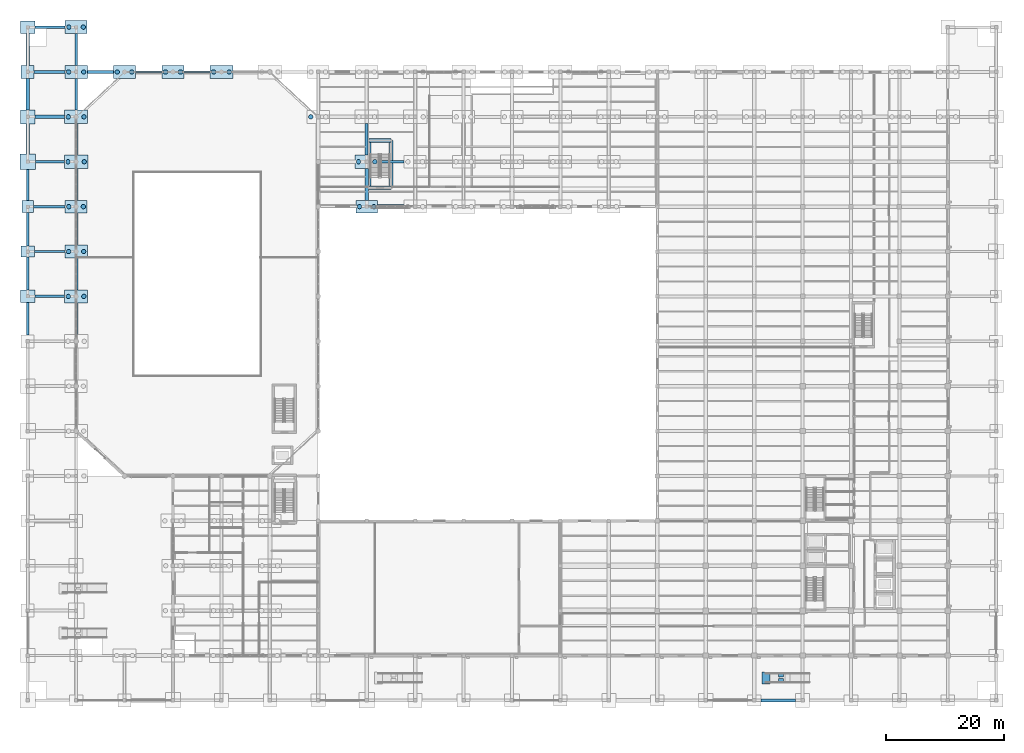
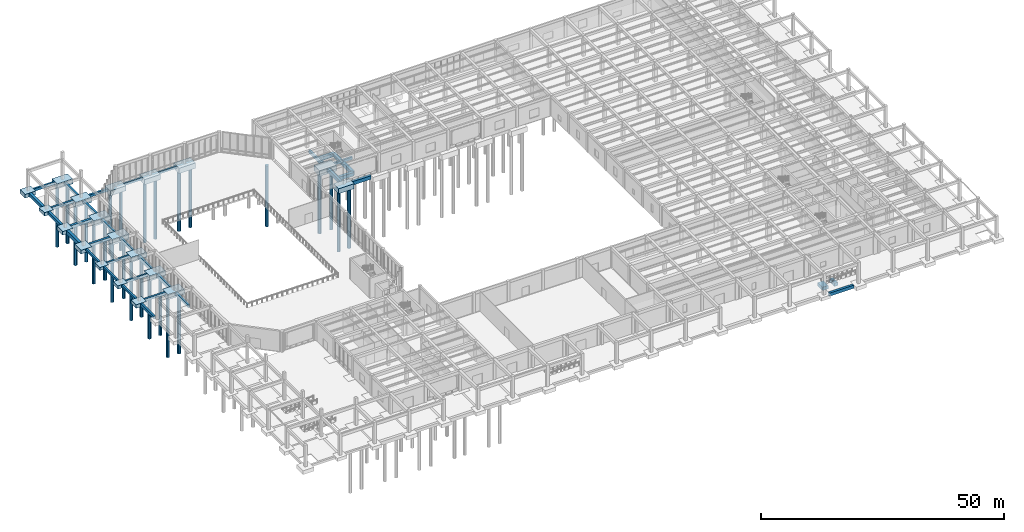
# One storey, part 3 of 64: 55 footings, 25 piles.
"""IFC4 building model written with IfcOpenShell, lengths in metres."""

from ifc_helpers import new_model, si_unit, direction, frame, origin, origin_2d, place, context, subcontext, project, spatial, rectangle, circle, extrude, material, material_profile, profile_set, type_object, element, save


model = new_model("IFC4")

# Units and contexts
model_context = context("Model", 3, precision=1e-05, world=origin(), true_north=direction((0.0, 1.0)))
body_context = subcontext(model_context, "Body", "Model", "MODEL_VIEW")
ifc_project = project(units=[si_unit("LENGTHUNIT", "METRE"), si_unit("AREAUNIT", "SQUARE_METRE"), si_unit("VOLUMEUNIT", "CUBIC_METRE"), si_unit("PLANEANGLEUNIT", "RADIAN"), si_unit("MASSUNIT", "GRAM", prefix="KILO")], contexts=[model_context])

# Site, building, storey
site_placement = place(None, origin())
site = spatial("IfcSite", under=ifc_project, at=site_placement, CompositionType="ELEMENT")
building_placement = place(site_placement, origin())
building = spatial("IfcBuilding", under=site, at=building_placement, Name="Qandaris Square Conservatory and Botanical Centre", CompositionType="ELEMENT")
storey_placement = place(building_placement, origin())
storey = spatial("IfcBuildingStorey", under=building, at=storey_placement, Name="L00", CompositionType="ELEMENT", Elevation=0.0)

# Piles
ifc_material_1 = material(Name="Concrete C50/60", Category="concrete")
ifc_material_profile_1 = material_profile(ifc_material_1, circle(Radius=0.375, at=origin_2d()), Name="PILE D750")
ifc_profile_set_1 = profile_set([ifc_material_profile_1], Name="Concrete C50/60")
pile_type = type_object("IfcPileType", Name="Bored Pile D750", PredefinedType="BORED", material=ifc_profile_set_1)
for number, where, z_axis, x_axis, name in (
    (1, (14.875, 77.39990234375, -1.25), (0.0, 0.0, -1.0), (1.0, 0.0, 0.0), "Bored Pile K2-1"),
    (2, (17.52490234375, 77.39990234375, -1.25), (0.0, 0.0, -1.0), (1.0, 0.0, 0.0), "Bored Pile K2-2"),
):
    element("IfcPile", number, at=place(storey_placement, frame(where, z_axis=z_axis, x_axis=x_axis)), inside=storey, type_object=pile_type, Name=name, PredefinedType="BORED", context=body_context, shape_type="SweptSolid", body=[
        extrude(circle(Radius=0.375, at=origin_2d()), origin(), (0.0, 0.0, 1.0), 15.25),
    ])
for number, where, z_axis, x_axis, name in (
    (3, (14.925048828125, 85.0, -1.199951171875), (0.0, 0.0, -1.0), (1.0, 0.0, 0.0), "Bored Pile L2-1"),
    (4, (17.47509765625, 85.0, -1.199951171875), (0.0, 0.0, -1.0), (1.0, 0.0, 0.0), "Bored Pile L2-2"),
):
    element("IfcPile", number, at=place(storey_placement, frame(where, z_axis=z_axis, x_axis=x_axis)), inside=storey, type_object=pile_type, Name=name, PredefinedType="BORED", context=body_context, shape_type="SweptSolid", body=[
        extrude(circle(Radius=0.375, at=origin_2d()), origin(), (0.0, 0.0, 1.0), 15.300048828125),
    ])
for number, where, z_axis, x_axis, name in (
    (5, (14.97509765625, 92.60009765625, -1.14990234375), (0.0, 0.0, -1.0), (1.0, 0.0, 0.0), "Bored Pile M2-1"),
    (6, (17.425048828125, 92.60009765625, -1.14990234375), (0.0, 0.0, -1.0), (1.0, 0.0, 0.0), "Bored Pile M2-2"),
):
    element("IfcPile", number, at=place(storey_placement, frame(where, z_axis=z_axis, x_axis=x_axis)), inside=storey, type_object=pile_type, Name=name, PredefinedType="BORED", context=body_context, shape_type="SweptSolid", body=[
        extrude(circle(Radius=0.375, at=origin_2d()), origin(), (0.0, 0.0, 1.0), 15.35009765625),
    ])
for number, where, z_axis, x_axis, name in (
    (7, (14.824951171875, 100.199951171875, -1.300048828125), (0.0, 0.0, -1.0), (1.0, 0.0, 0.0), "Bored Pile N2-1"),
    (8, (17.574951171875, 100.199951171875, -1.300048828125), (0.0, 0.0, -1.0), (1.0, 0.0, 0.0), "Bored Pile N2-2"),
):
    element("IfcPile", number, at=place(storey_placement, frame(where, z_axis=z_axis, x_axis=x_axis)), inside=storey, type_object=pile_type, Name=name, PredefinedType="BORED", context=body_context, shape_type="SweptSolid", body=[
        extrude(circle(Radius=0.375, at=origin_2d()), origin(), (0.0, 0.0, 1.0), 15.199951171875),
    ])
for number, where, z_axis, x_axis, name in (
    (9, (14.875, 107.800048828125, -1.25), (0.0, 0.0, -1.0), (1.0, 0.0, 0.0), "Bored Pile P2-1"),
    (10, (17.52490234375, 107.800048828125, -1.25), (0.0, 0.0, -1.0), (1.0, 0.0, 0.0), "Bored Pile P2-2"),
):
    element("IfcPile", number, at=place(storey_placement, frame(where, z_axis=z_axis, x_axis=x_axis)), inside=storey, type_object=pile_type, Name=name, PredefinedType="BORED", context=body_context, shape_type="SweptSolid", body=[
        extrude(circle(Radius=0.375, at=origin_2d()), origin(), (0.0, 0.0, 1.0), 15.25),
    ])
for number, where, z_axis, x_axis, name in (
    (11, (14.925048828125, 115.39990234375, -1.199951171875), (0.0, 0.0, -1.0), (1.0, 0.0, 0.0), "Bored Pile Q2-1"),
    (12, (17.47509765625, 115.39990234375, -1.199951171875), (0.0, 0.0, -1.0), (1.0, 0.0, 0.0), "Bored Pile Q2-2"),
):
    element("IfcPile", number, at=place(storey_placement, frame(where, z_axis=z_axis, x_axis=x_axis)), inside=storey, type_object=pile_type, Name=name, PredefinedType="BORED", context=body_context, shape_type="SweptSolid", body=[
        extrude(circle(Radius=0.375, at=origin_2d()), origin(), (0.0, 0.0, 1.0), 15.300048828125),
    ])
for number, where, z_axis, x_axis, name in (
    (13, (14.97509765625, 123.0, -1.14990234375), (0.0, 0.0, -1.0), (1.0, 0.0, 0.0), "Bored Pile R2-1"),
    (14, (17.425048828125, 123.0, -1.14990234375), (0.0, 0.0, -1.0), (1.0, 0.0, 0.0), "Bored Pile R2-2"),
    (15, (23.175048828125, 115.39990234375, -1.14990234375), (0.0, 0.0, -1.0), (1.0, 0.0, 0.0), "Bored Pile Q3-1"),
    (16, (25.625, 115.39990234375, -1.14990234375), (0.0, 0.0, -1.0), (1.0, 0.0, 0.0), "Bored Pile Q3-2"),
):
    element("IfcPile", number, at=place(storey_placement, frame(where, z_axis=z_axis, x_axis=x_axis)), inside=storey, type_object=pile_type, Name=name, PredefinedType="BORED", context=body_context, shape_type="SweptSolid", body=[
        extrude(circle(Radius=0.375, at=origin_2d()), origin(), (0.0, 0.0, 1.0), 15.35009765625),
    ])
for number, where, z_axis, x_axis, name in (
    (17, (31.324951171875, 115.39990234375, -1.199951171875), (0.0, 0.0, -1.0), (1.0, 0.0, 0.0), "Bored Pile Q4-1"),
    (18, (33.875, 115.39990234375, -1.199951171875), (0.0, 0.0, -1.0), (1.0, 0.0, 0.0), "Bored Pile Q4-2"),
):
    element("IfcPile", number, at=place(storey_placement, frame(where, z_axis=z_axis, x_axis=x_axis)), inside=storey, type_object=pile_type, Name=name, PredefinedType="BORED", context=body_context, shape_type="SweptSolid", body=[
        extrude(circle(Radius=0.375, at=origin_2d()), origin(), (0.0, 0.0, 1.0), 15.300048828125),
    ])
for number, where, z_axis, x_axis, name in (
    (19, (39.47509765625, 115.39990234375, -1.25), (0.0, 0.0, -1.0), (1.0, 0.0, 0.0), "Bored Pile Q5-1"),
    (20, (42.125, 115.39990234375, -1.25), (0.0, 0.0, -1.0), (1.0, 0.0, 0.0), "Bored Pile Q5-2"),
):
    element("IfcPile", number, at=place(storey_placement, frame(where, z_axis=z_axis, x_axis=x_axis)), inside=storey, type_object=pile_type, Name=name, PredefinedType="BORED", context=body_context, shape_type="SweptSolid", body=[
        extrude(circle(Radius=0.375, at=origin_2d()), origin(), (0.0, 0.0, 1.0), 15.25),
    ])
pile_placement = place(storey_placement, frame((55.925048828125, 107.800048828125, -1.199951171875), z_axis=(0.0, 0.0, -1.0), x_axis=(1.0, 0.0, 0.0)))
element("IfcPile", 21, at=pile_placement, inside=storey, type_object=pile_type, Name="Bored Pile P7-1", PredefinedType="BORED", context=body_context, shape_type="SweptSolid", body=[
    extrude(circle(Radius=0.375, at=origin_2d()), origin(), (0.0, 0.0, 1.0), 15.300048828125),
])
for number, where, z_axis, x_axis, name in (
    (22, (64.175048828125, 92.60009765625, -1.14990234375), (0.0, 0.0, -1.0), (1.0, 0.0, 0.0), "Bored Pile M8-1"),
    (23, (66.625, 92.60009765625, -1.14990234375), (0.0, 0.0, -1.0), (1.0, 0.0, 0.0), "Bored Pile M8-2"),
):
    element("IfcPile", number, at=place(storey_placement, frame(where, z_axis=z_axis, x_axis=x_axis)), inside=storey, type_object=pile_type, Name=name, PredefinedType="BORED", context=body_context, shape_type="SweptSolid", body=[
        extrude(circle(Radius=0.375, at=origin_2d()), origin(), (0.0, 0.0, 1.0), 15.35009765625),
    ])
for number, where, z_axis, x_axis, name in (
    (24, (64.02490234375, 100.199951171875, -1.300048828125), (0.0, 0.0, -1.0), (1.0, 0.0, 0.0), "Bored Pile N8-1"),
    (25, (66.77490234375, 100.199951171875, -1.300048828125), (0.0, 0.0, -1.0), (1.0, 0.0, 0.0), "Bored Pile N8-2"),
):
    element("IfcPile", number, at=place(storey_placement, frame(where, z_axis=z_axis, x_axis=x_axis)), inside=storey, type_object=pile_type, Name=name, PredefinedType="BORED", context=body_context, shape_type="SweptSolid", body=[
        extrude(circle(Radius=0.375, at=origin_2d()), origin(), (0.0, 0.0, 1.0), 15.199951171875),
    ])

# Footings
ifc_material_2 = material(Name="Concrete C40/50", Category="concrete")
ifc_material_profile_2 = material_profile(ifc_material_2, rectangle(XDim=0.60009765625, YDim=0.85009765625, at=origin_2d()), Name="FB 600x850")
ifc_profile_set_2 = profile_set([ifc_material_profile_2], Name="Concrete C40/50")
footing_type_1 = type_object("IfcFootingType", Name="RC Ground Tie Beam FB-01", PredefinedType="FOOTING_BEAM", material=ifc_profile_set_2)
footing_1_placement = place(storey_placement, frame((8.0, 116.5, -0.425048828125), z_axis=(0.0, 1.0, 0.0), x_axis=(-1.0, 0.0, 0.0)))
element("IfcFooting", 26, at=footing_1_placement, inside=storey, type_object=footing_type_1, Name="Ground Tie Beam FB-01-291", PredefinedType="FOOTING_BEAM", context=body_context, shape_type="SweptSolid", body=[
    extrude(rectangle(XDim=0.60009765625, YDim=0.85009765625, at=origin_2d()), origin(), (0.0, 0.0, 1.0), 5.449951171875),
])
footing_2_placement = place(storey_placement, frame((16.199951171875, 78.52490234375, -0.425048828125), z_axis=(0.0, 1.0, 0.0), x_axis=(-1.0, 0.0, 0.0)))
element("IfcFooting", 27, at=footing_2_placement, inside=storey, type_object=footing_type_1, Name="Ground Tie Beam FB-01-301", PredefinedType="FOOTING_BEAM", context=body_context, shape_type="SweptSolid", body=[
    extrude(rectangle(XDim=0.60009765625, YDim=0.85009765625, at=origin_2d()), origin(), (0.0, 0.0, 1.0), 5.375),
])
ifc_material_profile_3 = material_profile(ifc_material_2, rectangle(XDim=0.550048828125, YDim=0.800048828125, at=origin_2d()), Name="FB 550x800")
ifc_profile_set_3 = profile_set([ifc_material_profile_3], Name="Concrete C40/50")
footing_type_2 = type_object("IfcFootingType", Name="RC Ground Tie Beam FB-02", PredefinedType="FOOTING_BEAM", material=ifc_profile_set_3)
footing_3_placement = place(storey_placement, frame((132.14990234375, 9.0, -0.39990234375), z_axis=(1.0, 0.0, 0.0), x_axis=(0.0, 1.0, 0.0)))
element("IfcFooting", 28, at=footing_3_placement, inside=storey, type_object=footing_type_2, Name="Ground Tie Beam FB-02-202", PredefinedType="FOOTING_BEAM", context=body_context, shape_type="SweptSolid", body=[
    extrude(rectangle(XDim=0.550048828125, YDim=0.800048828125, at=origin_2d()), origin(), (0.0, 0.0, 1.0), 5.85009765625),
])
footing_4_placement = place(storey_placement, frame((16.199951171875, 86.10009765625, -0.39990234375), z_axis=(0.0, 1.0, 0.0), x_axis=(-1.0, 0.0, 0.0)))
element("IfcFooting", 29, at=footing_4_placement, inside=storey, type_object=footing_type_2, Name="Ground Tie Beam FB-02-302", PredefinedType="FOOTING_BEAM", context=body_context, shape_type="SweptSolid", body=[
    extrude(rectangle(XDim=0.550048828125, YDim=0.800048828125, at=origin_2d()), origin(), (0.0, 0.0, 1.0), 5.4248046875),
])
footing_5_placement = place(storey_placement, frame((65.39990234375, 93.675048828125, -0.39990234375), z_axis=(0.0, 1.0, 0.0), x_axis=(-1.0, 0.0, 0.0)))
element("IfcFooting", 30, at=footing_5_placement, inside=storey, type_object=footing_type_2, Name="Ground Tie Beam FB-02-322", PredefinedType="FOOTING_BEAM", context=body_context, shape_type="SweptSolid", body=[
    extrude(rectangle(XDim=0.550048828125, YDim=0.800048828125, at=origin_2d()), origin(), (0.0, 0.0, 1.0), 5.375),
])
ifc_material_profile_4 = material_profile(ifc_material_2, rectangle(XDim=0.5, YDim=0.75, at=origin_2d()), Name="FB 500x750")
ifc_profile_set_4 = profile_set([ifc_material_profile_4], Name="Concrete C40/50")
footing_type_3 = type_object("IfcFootingType", Name="RC Ground Tie Beam FB-03", PredefinedType="FOOTING_BEAM", material=ifc_profile_set_4)
footing_6_placement = place(storey_placement, frame((16.199951171875, 93.675048828125, -0.375), z_axis=(0.0, 1.0, 0.0), x_axis=(-1.0, 0.0, 0.0)))
element("IfcFooting", 31, at=footing_6_placement, inside=storey, type_object=footing_type_3, Name="Ground Tie Beam FB-03-303", PredefinedType="FOOTING_BEAM", context=body_context, shape_type="SweptSolid", body=[
    extrude(rectangle(XDim=0.5, YDim=0.75, at=origin_2d()), origin(), (0.0, 0.0, 1.0), 5.375),
])
footing_7_placement = place(storey_placement, frame((65.39990234375, 101.35009765625, -0.375), z_axis=(0.0, 1.0, 0.0), x_axis=(-1.0, 0.0, 0.0)))
element("IfcFooting", 32, at=footing_7_placement, inside=storey, type_object=footing_type_3, Name="Ground Tie Beam FB-03-323", PredefinedType="FOOTING_BEAM", context=body_context, shape_type="SweptSolid", body=[
    extrude(rectangle(XDim=0.5, YDim=0.75, at=origin_2d()), origin(), (0.0, 0.0, 1.0), 5.324951171875),
])
ifc_material_profile_5 = material_profile(ifc_material_2, rectangle(XDim=0.5, YDim=0.699951171875, at=origin_2d()), Name="FB 500x700")
ifc_profile_set_5 = profile_set([ifc_material_profile_5], Name="Concrete C40/50")
footing_type_4 = type_object("IfcFootingType", Name="RC Ground Tie Beam FB-04", PredefinedType="FOOTING_BEAM", material=ifc_profile_set_5)
footing_8_placement = place(storey_placement, frame((9.300048828125, 100.199951171875, -0.35009765625), z_axis=(1.0, 0.0, 0.0), x_axis=(0.0, 1.0, 0.0)))
element("IfcFooting", 33, at=footing_8_placement, inside=storey, type_object=footing_type_4, Name="Ground Tie Beam FB-04-234", PredefinedType="FOOTING_BEAM", context=body_context, shape_type="SweptSolid", body=[
    extrude(rectangle(XDim=0.5, YDim=0.699951171875, at=origin_2d()), origin(), (0.0, 0.0, 1.0), 4.89990234375),
])
footing_9_placement = place(storey_placement, frame((16.199951171875, 101.35009765625, -0.35009765625), z_axis=(0.0, 1.0, 0.0), x_axis=(-1.0, 0.0, 0.0)))
element("IfcFooting", 34, at=footing_9_placement, inside=storey, type_object=footing_type_4, Name="Ground Tie Beam FB-04-304", PredefinedType="FOOTING_BEAM", context=body_context, shape_type="SweptSolid", body=[
    extrude(rectangle(XDim=0.5, YDim=0.699951171875, at=origin_2d()), origin(), (0.0, 0.0, 1.0), 5.324951171875),
])
ifc_material_profile_6 = material_profile(ifc_material_2, rectangle(XDim=0.449951171875, YDim=0.64990234375, at=origin_2d()), Name="FB 450x650")
ifc_profile_set_6 = profile_set([ifc_material_profile_6], Name="Concrete C40/50")
footing_type_5 = type_object("IfcFootingType", Name="RC Ground Tie Beam FB-05", PredefinedType="FOOTING_BEAM", material=ifc_profile_set_6)
footing_10_placement = place(storey_placement, frame((67.39990234375, 100.199951171875, -0.324951171875), z_axis=(1.0, 0.0, 0.0), x_axis=(0.0, 1.0, 0.0)))
element("IfcFooting", 35, at=footing_10_placement, inside=storey, type_object=footing_type_5, Name="Ground Tie Beam FB-05-235", PredefinedType="FOOTING_BEAM", context=body_context, shape_type="SweptSolid", body=[
    extrude(rectangle(XDim=0.449951171875, YDim=0.64990234375, at=origin_2d()), origin(), (0.0, 0.0, 1.0), 4.35009765625),
])
footing_11_placement = place(storey_placement, frame((9.10009765625, 115.39990234375, -0.324951171875), z_axis=(1.0, 0.0, 0.0), x_axis=(0.0, 1.0, 0.0)))
element("IfcFooting", 36, at=footing_11_placement, inside=storey, type_object=footing_type_5, Name="Ground Tie Beam FB-05-255", PredefinedType="FOOTING_BEAM", context=body_context, shape_type="SweptSolid", body=[
    extrude(rectangle(XDim=0.449951171875, YDim=0.64990234375, at=origin_2d()), origin(), (0.0, 0.0, 1.0), 5.199951171875),
])
footing_12_placement = place(storey_placement, frame((9.25, 123.0, -0.324951171875), z_axis=(1.0, 0.0, 0.0), x_axis=(0.0, 1.0, 0.0)))
element("IfcFooting", 37, at=footing_12_placement, inside=storey, type_object=footing_type_5, Name="Ground Tie Beam FB-05-275", PredefinedType="FOOTING_BEAM", context=body_context, shape_type="SweptSolid", body=[
    extrude(rectangle(XDim=0.449951171875, YDim=0.64990234375, at=origin_2d()), origin(), (0.0, 0.0, 1.0), 5.10009765625),
])
footing_13_placement = place(storey_placement, frame((8.0, 70.89990234375, -0.324951171875), z_axis=(0.0, 1.0, 0.0), x_axis=(-1.0, 0.0, 0.0)))
element("IfcFooting", 38, at=footing_13_placement, inside=storey, type_object=footing_type_5, Name="Ground Tie Beam FB-05-285", PredefinedType="FOOTING_BEAM", context=body_context, shape_type="SweptSolid", body=[
    extrude(rectangle(XDim=0.449951171875, YDim=0.64990234375, at=origin_2d()), origin(), (0.0, 0.0, 1.0), 5.4501953125),
])
footing_14_placement = place(storey_placement, frame((16.199951171875, 108.925048828125, -0.324951171875), z_axis=(0.0, 1.0, 0.0), x_axis=(-1.0, 0.0, 0.0)))
element("IfcFooting", 39, at=footing_14_placement, inside=storey, type_object=footing_type_5, Name="Ground Tie Beam FB-05-305", PredefinedType="FOOTING_BEAM", context=body_context, shape_type="SweptSolid", body=[
    extrude(rectangle(XDim=0.449951171875, YDim=0.64990234375, at=origin_2d()), origin(), (0.0, 0.0, 1.0), 5.375),
])
ifc_material_profile_7 = material_profile(ifc_material_2, rectangle(XDim=0.449951171875, YDim=0.60009765625, at=origin_2d()), Name="FB 450x600")
ifc_profile_set_7 = profile_set([ifc_material_profile_7], Name="Concrete C40/50")
footing_type_6 = type_object("IfcFootingType", Name="RC Ground Tie Beam FB-06", PredefinedType="FOOTING_BEAM", material=ifc_profile_set_7)
footing_15_placement = place(storey_placement, frame((9.25, 77.39990234375, -0.300048828125), z_axis=(1.0, 0.0, 0.0), x_axis=(0.0, 1.0, 0.0)))
element("IfcFooting", 40, at=footing_15_placement, inside=storey, type_object=footing_type_6, Name="Ground Tie Beam FB-06-226", PredefinedType="FOOTING_BEAM", context=body_context, shape_type="SweptSolid", body=[
    extrude(rectangle(XDim=0.449951171875, YDim=0.60009765625, at=origin_2d()), origin(), (0.0, 0.0, 1.0), 5.0),
])
footing_16_placement = place(storey_placement, frame((18.10009765625, 115.39990234375, -0.300048828125), z_axis=(1.0, 0.0, 0.0), x_axis=(0.0, 1.0, 0.0)))
element("IfcFooting", 41, at=footing_16_placement, inside=storey, type_object=footing_type_6, Name="Ground Tie Beam FB-06-256", PredefinedType="FOOTING_BEAM", context=body_context, shape_type="SweptSolid", body=[
    extrude(rectangle(XDim=0.449951171875, YDim=0.60009765625, at=origin_2d()), origin(), (0.0, 0.0, 1.0), 4.449951171875),
])
footing_17_placement = place(storey_placement, frame((8.0, 78.449951171875, -0.300048828125), z_axis=(0.0, 1.0, 0.0), x_axis=(-1.0, 0.0, 0.0)))
element("IfcFooting", 42, at=footing_17_placement, inside=storey, type_object=footing_type_6, Name="Ground Tie Beam FB-06-286", PredefinedType="FOOTING_BEAM", context=body_context, shape_type="SweptSolid", body=[
    extrude(rectangle(XDim=0.449951171875, YDim=0.60009765625, at=origin_2d()), origin(), (0.0, 0.0, 1.0), 5.60009765625),
])
footing_18_placement = place(storey_placement, frame((16.199951171875, 116.5, -0.300048828125), z_axis=(0.0, 1.0, 0.0), x_axis=(-1.0, 0.0, 0.0)))
element("IfcFooting", 43, at=footing_18_placement, inside=storey, type_object=footing_type_6, Name="Ground Tie Beam FB-06-306", PredefinedType="FOOTING_BEAM", context=body_context, shape_type="SweptSolid", body=[
    extrude(rectangle(XDim=0.449951171875, YDim=0.60009765625, at=origin_2d()), origin(), (0.0, 0.0, 1.0), 5.425048828125),
])
ifc_material_profile_8 = material_profile(ifc_material_2, rectangle(XDim=0.39990234375, YDim=0.60009765625, at=origin_2d()), Name="FB 400x600")
ifc_profile_set_8 = profile_set([ifc_material_profile_8], Name="Concrete C40/50")
footing_type_7 = type_object("IfcFootingType", Name="RC Ground Tie Beam FB-07", PredefinedType="FOOTING_BEAM", material=ifc_profile_set_8)
footing_19_placement = place(storey_placement, frame((9.14990234375, 85.0, -0.300048828125), z_axis=(1.0, 0.0, 0.0), x_axis=(0.0, 1.0, 0.0)))
element("IfcFooting", 44, at=footing_19_placement, inside=storey, type_object=footing_type_7, Name="Ground Tie Beam FB-07-227", PredefinedType="FOOTING_BEAM", context=body_context, shape_type="SweptSolid", body=[
    extrude(rectangle(XDim=0.39990234375, YDim=0.60009765625, at=origin_2d()), origin(), (0.0, 0.0, 1.0), 5.150146484375),
])
footing_20_placement = place(storey_placement, frame((26.25, 115.39990234375, -0.300048828125), z_axis=(1.0, 0.0, 0.0), x_axis=(0.0, 1.0, 0.0)))
element("IfcFooting", 45, at=footing_20_placement, inside=storey, type_object=footing_type_7, Name="Ground Tie Beam FB-07-257", PredefinedType="FOOTING_BEAM", context=body_context, shape_type="SweptSolid", body=[
    extrude(rectangle(XDim=0.39990234375, YDim=0.60009765625, at=origin_2d()), origin(), (0.0, 0.0, 1.0), 4.449951171875),
])
footing_21_placement = place(storey_placement, frame((8.0, 85.949951171875, -0.300048828125), z_axis=(0.0, 1.0, 0.0), x_axis=(-1.0, 0.0, 0.0)))
element("IfcFooting", 46, at=footing_21_placement, inside=storey, type_object=footing_type_7, Name="Ground Tie Beam FB-07-287", PredefinedType="FOOTING_BEAM", context=body_context, shape_type="SweptSolid", body=[
    extrude(rectangle(XDim=0.39990234375, YDim=0.60009765625, at=origin_2d()), origin(), (0.0, 0.0, 1.0), 5.650146484375),
])
ifc_material_profile_9 = material_profile(ifc_material_2, rectangle(XDim=0.39990234375, YDim=0.550048828125, at=origin_2d()), Name="FB 400x550")
ifc_profile_set_9 = profile_set([ifc_material_profile_9], Name="Concrete C40/50")
footing_type_8 = type_object("IfcFootingType", Name="RC Ground Tie Beam FB-08", PredefinedType="FOOTING_BEAM", material=ifc_profile_set_9)
footing_22_placement = place(storey_placement, frame((9.0, 92.60009765625, -0.27490234375), z_axis=(1.0, 0.0, 0.0), x_axis=(0.0, 1.0, 0.0)))
element("IfcFooting", 47, at=footing_22_placement, inside=storey, type_object=footing_type_8, Name="Ground Tie Beam FB-08-228", PredefinedType="FOOTING_BEAM", context=body_context, shape_type="SweptSolid", body=[
    extrude(rectangle(XDim=0.39990234375, YDim=0.550048828125, at=origin_2d()), origin(), (0.0, 0.0, 1.0), 5.35009765625),
])
footing_23_placement = place(storey_placement, frame((34.5, 115.39990234375, -0.27490234375), z_axis=(1.0, 0.0, 0.0), x_axis=(0.0, 1.0, 0.0)))
element("IfcFooting", 48, at=footing_23_placement, inside=storey, type_object=footing_type_8, Name="Ground Tie Beam FB-08-258", PredefinedType="FOOTING_BEAM", context=body_context, shape_type="SweptSolid", body=[
    extrude(rectangle(XDim=0.39990234375, YDim=0.550048828125, at=origin_2d()), origin(), (0.0, 0.0, 1.0), 4.35009765625),
])
footing_24_placement = place(storey_placement, frame((8.0, 93.60009765625, -0.27490234375), z_axis=(0.0, 1.0, 0.0), x_axis=(-1.0, 0.0, 0.0)))
element("IfcFooting", 49, at=footing_24_placement, inside=storey, type_object=footing_type_8, Name="Ground Tie Beam FB-08-288", PredefinedType="FOOTING_BEAM", context=body_context, shape_type="SweptSolid", body=[
    extrude(rectangle(XDim=0.39990234375, YDim=0.550048828125, at=origin_2d()), origin(), (0.0, 0.0, 1.0), 5.2998046875),
])
ifc_material_profile_10 = material_profile(ifc_material_2, rectangle(XDim=0.64990234375, YDim=0.89990234375, at=origin_2d()), Name="FB 650x900")
ifc_profile_set_10 = profile_set([ifc_material_profile_10], Name="Concrete C40/50")
footing_type_9 = type_object("IfcFootingType", Name="RC Ground Tie Beam FB-09", PredefinedType="FOOTING_BEAM", material=ifc_profile_set_10)
footing_25_placement = place(storey_placement, frame((65.800048828125, 95.800048828125, -0.7900390625), z_axis=(1.0, 0.0, 0.0), x_axis=(0.0, 1.0, 0.0)))
element("IfcFooting", 50, at=footing_25_placement, inside=storey, type_object=footing_type_9, Name="Stair ST6 Core Footing Beam S", PredefinedType="FOOTING_BEAM", context=body_context, shape_type="SweptSolid", body=[
    extrude(rectangle(XDim=0.64990234375, YDim=0.89990234375, at=origin_2d()), origin(), (0.0, 0.0, 1.0), 3.699951171875),
])
for number, where, z_axis, x_axis, name in (
    (51, (65.800048828125, 95.800048828125, -0.7900390625), (0.0, 1.0, 0.0), (-1.0, 0.0, 0.0), "Stair ST6 Core Footing Beam W"),
    (52, (69.5, 95.800048828125, -0.7900390625), (0.0, 1.0, 0.0), (-1.0, 0.0, 0.0), "Stair ST6 Core Footing Beam E"),
):
    element("IfcFooting", number, at=place(storey_placement, frame(where, z_axis=z_axis, x_axis=x_axis)), inside=storey, type_object=footing_type_9, Name=name, PredefinedType="FOOTING_BEAM", context=body_context, shape_type="SweptSolid", body=[
        extrude(rectangle(XDim=0.64990234375, YDim=0.89990234375, at=origin_2d()), origin(), (0.0, 0.0, 1.0), 8.0),
    ])
footing_26_placement = place(storey_placement, frame((65.800048828125, 103.800048828125, -0.7900390625), z_axis=(1.0, 0.0, 0.0), x_axis=(0.0, 1.0, 0.0)))
element("IfcFooting", 53, at=footing_26_placement, inside=storey, type_object=footing_type_9, Name="Stair ST6 Core Footing Beam N", PredefinedType="FOOTING_BEAM", context=body_context, shape_type="SweptSolid", body=[
    extrude(rectangle(XDim=0.64990234375, YDim=0.89990234375, at=origin_2d()), origin(), (0.0, 0.0, 1.0), 3.699951171875),
])
footing_27_placement = place(storey_placement, frame((67.25, 92.60009765625, -0.449951171875), z_axis=(1.0, 0.0, 0.0), x_axis=(0.0, 1.0, 0.0)))
element("IfcFooting", 54, at=footing_27_placement, inside=storey, type_object=footing_type_9, Name="Ground Tie Beam FB-09-229", PredefinedType="FOOTING_BEAM", context=body_context, shape_type="SweptSolid", body=[
    extrude(rectangle(XDim=0.64990234375, YDim=0.89990234375, at=origin_2d()), origin(), (0.0, 0.0, 1.0), 4.449951171875),
])
footing_28_placement = place(storey_placement, frame((8.0, 101.5, -0.449951171875), z_axis=(0.0, 1.0, 0.0), x_axis=(-1.0, 0.0, 0.0)))
element("IfcFooting", 55, at=footing_28_placement, inside=storey, type_object=footing_type_9, Name="Ground Tie Beam FB-09-289", PredefinedType="FOOTING_BEAM", context=body_context, shape_type="SweptSolid", body=[
    extrude(rectangle(XDim=0.64990234375, YDim=0.89990234375, at=origin_2d()), origin(), (0.0, 0.0, 1.0), 5.10009765625),
])
ifc_material_profile_11 = material_profile(ifc_material_2, rectangle(XDim=0.550048828125, YDim=0.699951171875, at=origin_2d()), Name="FB 550x700")
ifc_profile_set_11 = profile_set([ifc_material_profile_11], Name="Concrete C40/50")
footing_type_10 = type_object("IfcFootingType", Name="RC Ground Tie Beam FB-10", PredefinedType="FOOTING_BEAM", material=ifc_profile_set_11)
footing_29_placement = place(storey_placement, frame((9.199951171875, 107.800048828125, -0.35009765625), z_axis=(1.0, 0.0, 0.0), x_axis=(0.0, 1.0, 0.0)))
element("IfcFooting", 56, at=footing_29_placement, inside=storey, type_object=footing_type_10, Name="Ground Tie Beam FB-10-240", PredefinedType="FOOTING_BEAM", context=body_context, shape_type="SweptSolid", body=[
    extrude(rectangle(XDim=0.550048828125, YDim=0.699951171875, at=origin_2d()), origin(), (0.0, 0.0, 1.0), 5.050048828125),
])
footing_30_placement = place(storey_placement, frame((8.0, 109.0, -0.35009765625), z_axis=(0.0, 1.0, 0.0), x_axis=(-1.0, 0.0, 0.0)))
element("IfcFooting", 57, at=footing_30_placement, inside=storey, type_object=footing_type_10, Name="Ground Tie Beam FB-10-290", PredefinedType="FOOTING_BEAM", context=body_context, shape_type="SweptSolid", body=[
    extrude(rectangle(XDim=0.550048828125, YDim=0.699951171875, at=origin_2d()), origin(), (0.0, 0.0, 1.0), 5.300048828125),
])
footing_31_placement = place(storey_placement, frame((16.199951171875, 70.949951171875, -0.35009765625), z_axis=(0.0, 1.0, 0.0), x_axis=(-1.0, 0.0, 0.0)))
element("IfcFooting", 58, at=footing_31_placement, inside=storey, type_object=footing_type_10, Name="Ground Tie Beam FB-10-300", PredefinedType="FOOTING_BEAM", context=body_context, shape_type="SweptSolid", body=[
    extrude(rectangle(XDim=0.550048828125, YDim=0.699951171875, at=origin_2d()), origin(), (0.0, 0.0, 1.0), 5.324951171875),
])
footing_type_11 = type_object("IfcFootingType", Name="RC Pad Footing PF-01", PredefinedType="PAD_FOOTING", material=ifc_material_2)
footing_32_placement = place(storey_placement, frame((8.0, 100.199951171875, -0.9501953125), z_axis=(0.0, 0.0, 1.0), x_axis=(1.0, 0.0, 0.0)))
element("IfcFooting", 59, at=footing_32_placement, inside=storey, type_object=footing_type_11, Name="Pad Footing PF-01 at N1", PredefinedType="PAD_FOOTING", context=body_context, shape_type="SweptSolid", body=[
    extrude(rectangle(XDim=2.60009765625, YDim=2.60009765625, at=origin_2d()), origin(), (0.0, 0.0, 1.0), 0.949951171875),
])
footing_type_12 = type_object("IfcFootingType", Name="RC Pad Footing PF-02", PredefinedType="PAD_FOOTING", material=ifc_material_2)
footing_33_placement = place(storey_placement, frame((8.0, 107.800048828125, -0.89990234375), z_axis=(0.0, 0.0, 1.0), x_axis=(1.0, 0.0, 0.0)))
element("IfcFooting", 60, at=footing_33_placement, inside=storey, type_object=footing_type_12, Name="Pad Footing PF-02 at P1", PredefinedType="PAD_FOOTING", context=body_context, shape_type="SweptSolid", body=[
    extrude(rectangle(XDim=2.39990234375, YDim=2.39990234375, at=origin_2d()), origin(), (0.0, 0.0, 1.0), 0.89990234375),
])
footing_type_13 = type_object("IfcFootingType", Name="RC Pad Footing PF-03", PredefinedType="PAD_FOOTING", material=ifc_material_2)
footing_34_placement = place(storey_placement, frame((8.0, 115.39990234375, -0.85009765625), z_axis=(0.0, 0.0, 1.0), x_axis=(1.0, 0.0, 0.0)))
element("IfcFooting", 61, at=footing_34_placement, inside=storey, type_object=footing_type_13, Name="Pad Footing PF-03 at Q1", PredefinedType="PAD_FOOTING", context=body_context, shape_type="SweptSolid", body=[
    extrude(rectangle(XDim=2.199951171875, YDim=2.199951171875, at=origin_2d()), origin(), (0.0, 0.0, 1.0), 0.85009765625),
])
footing_35_placement = place(storey_placement, frame((133.0, 12.800048828125, -1.300048828125), z_axis=(0.0, 0.0, 1.0), x_axis=(1.0, 0.0, 0.0)))
element("IfcFooting", 62, at=footing_35_placement, inside=storey, type_object=footing_type_13, Name="Ramp Foundation PAD-RMP-04A", PredefinedType="PAD_FOOTING", context=body_context, shape_type="SweptSolid", body=[
    extrude(rectangle(XDim=1.39990234375, YDim=2.0, at=origin_2d()), origin(), (0.0, 0.0, 1.0), 0.85009765625),
])
for number, where, z_axis, x_axis, name in (
    (63, (135.550048828125, 12.25, -1.260009765625), (0.0, 0.0, 1.0), (1.0, 0.0, 0.0), "Ramp Foundation PAD-RMP-04B"),
    (64, (135.550048828125, 13.35009765625, -1.260009765625), (0.0, 0.0, 1.0), (1.0, 0.0, 0.0), "Ramp Foundation PAD-RMP-04C"),
):
    element("IfcFooting", number, at=place(storey_placement, frame(where, z_axis=z_axis, x_axis=x_axis)), inside=storey, type_object=footing_type_13, Name=name, PredefinedType="PAD_FOOTING", context=body_context, shape_type="SweptSolid", body=[
        extrude(rectangle(XDim=0.85009765625, YDim=0.85009765625, at=origin_2d()), origin(), (0.0, 0.0, 1.0), 0.85009765625),
    ])
footing_type_14 = type_object("IfcFootingType", Name="RC Pad Footing PF-04", PredefinedType="PAD_FOOTING", material=ifc_material_2)
for number, where, z_axis, x_axis, name in (
    (65, (8.0, 77.39990234375, -0.89990234375), (0.0, 0.0, 1.0), (1.0, 0.0, 0.0), "Pad Footing PF-04 at K1"),
    (66, (8.0, 123.0, -0.89990234375), (0.0, 0.0, 1.0), (1.0, 0.0, 0.0), "Pad Footing PF-04 at R1"),
):
    element("IfcFooting", number, at=place(storey_placement, frame(where, z_axis=z_axis, x_axis=x_axis)), inside=storey, type_object=footing_type_14, Name=name, PredefinedType="PAD_FOOTING", context=body_context, shape_type="SweptSolid", body=[
        extrude(rectangle(XDim=2.5, YDim=2.10009765625, at=origin_2d()), origin(), (0.0, 0.0, 1.0), 0.89990234375),
    ])
footing_type_15 = type_object("IfcFootingType", Name="RC Pad Footing PF-05", PredefinedType="PAD_FOOTING", material=ifc_material_2)
footing_36_placement = place(storey_placement, frame((8.0, 85.0, -0.7998046875), z_axis=(0.0, 0.0, 1.0), x_axis=(1.0, 0.0, 0.0)))
element("IfcFooting", 67, at=footing_36_placement, inside=storey, type_object=footing_type_15, Name="Pad Footing PF-05 at L1", PredefinedType="PAD_FOOTING", context=body_context, shape_type="SweptSolid", body=[
    extrude(rectangle(XDim=2.300048828125, YDim=1.89990234375, at=origin_2d()), origin(), (0.0, 0.0, 1.0), 0.800048828125),
])
footing_type_16 = type_object("IfcFootingType", Name="RC Pad Footing PF-06", PredefinedType="PAD_FOOTING", material=ifc_material_2)
footing_37_placement = place(storey_placement, frame((8.0, 92.60009765625, -0.75), z_axis=(0.0, 0.0, 1.0), x_axis=(1.0, 0.0, 0.0)))
element("IfcFooting", 68, at=footing_37_placement, inside=storey, type_object=footing_type_16, Name="Pad Footing PF-06 at M1", PredefinedType="PAD_FOOTING", context=body_context, shape_type="SweptSolid", body=[
    extrude(rectangle(XDim=2.0, YDim=2.0, at=origin_2d()), origin(), (0.0, 0.0, 1.0), 0.75),
])
footing_type_17 = type_object("IfcFootingType", Name="RC Pile Cap PC-09", PredefinedType="PILE_CAP", material=ifc_material_2)
for number, where, z_axis, x_axis, name in (
    (69, (16.199951171875, 100.199951171875, -1.39990234375), (0.0, 0.0, 1.0), (1.0, 0.0, 0.0), "Pile Cap PC-09 at N2"),
    (70, (65.39990234375, 100.199951171875, -1.39990234375), (0.0, 0.0, 1.0), (1.0, 0.0, 0.0), "Pile Cap PC-09 at N8"),
):
    element("IfcFooting", number, at=place(storey_placement, frame(where, z_axis=z_axis, x_axis=x_axis)), inside=storey, type_object=footing_type_17, Name=name, PredefinedType="PILE_CAP", context=body_context, shape_type="SweptSolid", body=[
        extrude(rectangle(XDim=4.0, YDim=2.300048828125, at=origin_2d()), origin(), (0.0, 0.0, 1.0), 1.39990234375),
    ])
footing_type_18 = type_object("IfcFootingType", Name="RC Pile Cap PC-10", PredefinedType="PILE_CAP", material=ifc_material_2)
for number, where, z_axis, x_axis, name in (
    (71, (16.199951171875, 77.39990234375, -1.35009765625), (0.0, 0.0, 1.0), (1.0, 0.0, 0.0), "Pile Cap PC-10 at K2"),
    (72, (16.199951171875, 107.800048828125, -1.35009765625), (0.0, 0.0, 1.0), (1.0, 0.0, 0.0), "Pile Cap PC-10 at P2"),
    (73, (40.800048828125, 115.39990234375, -1.35009765625), (0.0, 0.0, 1.0), (1.0, 0.0, 0.0), "Pile Cap PC-10 at Q5"),
):
    element("IfcFooting", number, at=place(storey_placement, frame(where, z_axis=z_axis, x_axis=x_axis)), inside=storey, type_object=footing_type_18, Name=name, PredefinedType="PILE_CAP", context=body_context, shape_type="SweptSolid", body=[
        extrude(rectangle(XDim=3.89990234375, YDim=2.25, at=origin_2d()), origin(), (0.0, 0.0, 1.0), 1.35009765625),
    ])
footing_type_19 = type_object("IfcFootingType", Name="RC Pile Cap PC-11", PredefinedType="PILE_CAP", material=ifc_material_2)
for number, where, z_axis, x_axis, name in (
    (74, (16.199951171875, 85.0, -1.2998046875), (0.0, 0.0, 1.0), (1.0, 0.0, 0.0), "Pile Cap PC-11 at L2"),
    (75, (16.199951171875, 115.39990234375, -1.2998046875), (0.0, 0.0, 1.0), (1.0, 0.0, 0.0), "Pile Cap PC-11 at Q2"),
    (76, (32.60009765625, 115.39990234375, -1.2998046875), (0.0, 0.0, 1.0), (1.0, 0.0, 0.0), "Pile Cap PC-11 at Q4"),
):
    element("IfcFooting", number, at=place(storey_placement, frame(where, z_axis=z_axis, x_axis=x_axis)), inside=storey, type_object=footing_type_19, Name=name, PredefinedType="PILE_CAP", context=body_context, shape_type="SweptSolid", body=[
        extrude(rectangle(XDim=3.800048828125, YDim=2.199951171875, at=origin_2d()), origin(), (0.0, 0.0, 1.0), 1.300048828125),
    ])
footing_type_20 = type_object("IfcFootingType", Name="RC Pile Cap PC-12", PredefinedType="PILE_CAP", material=ifc_material_2)
for number, where, z_axis, x_axis, name in (
    (77, (16.199951171875, 92.60009765625, -1.25), (0.0, 0.0, 1.0), (1.0, 0.0, 0.0), "Pile Cap PC-12 at M2"),
    (78, (16.199951171875, 123.0, -1.25), (0.0, 0.0, 1.0), (1.0, 0.0, 0.0), "Pile Cap PC-12 at R2"),
    (79, (24.39990234375, 115.39990234375, -1.25), (0.0, 0.0, 1.0), (1.0, 0.0, 0.0), "Pile Cap PC-12 at Q3"),
    (80, (65.39990234375, 92.60009765625, -1.25), (0.0, 0.0, 1.0), (1.0, 0.0, 0.0), "Pile Cap PC-12 at M8"),
):
    element("IfcFooting", number, at=place(storey_placement, frame(where, z_axis=z_axis, x_axis=x_axis)), inside=storey, type_object=footing_type_20, Name=name, PredefinedType="PILE_CAP", context=body_context, shape_type="SweptSolid", body=[
        extrude(rectangle(XDim=3.699951171875, YDim=2.14990234375, at=origin_2d()), origin(), (0.0, 0.0, 1.0), 1.25),
    ])

save(model, "model.ifc")
